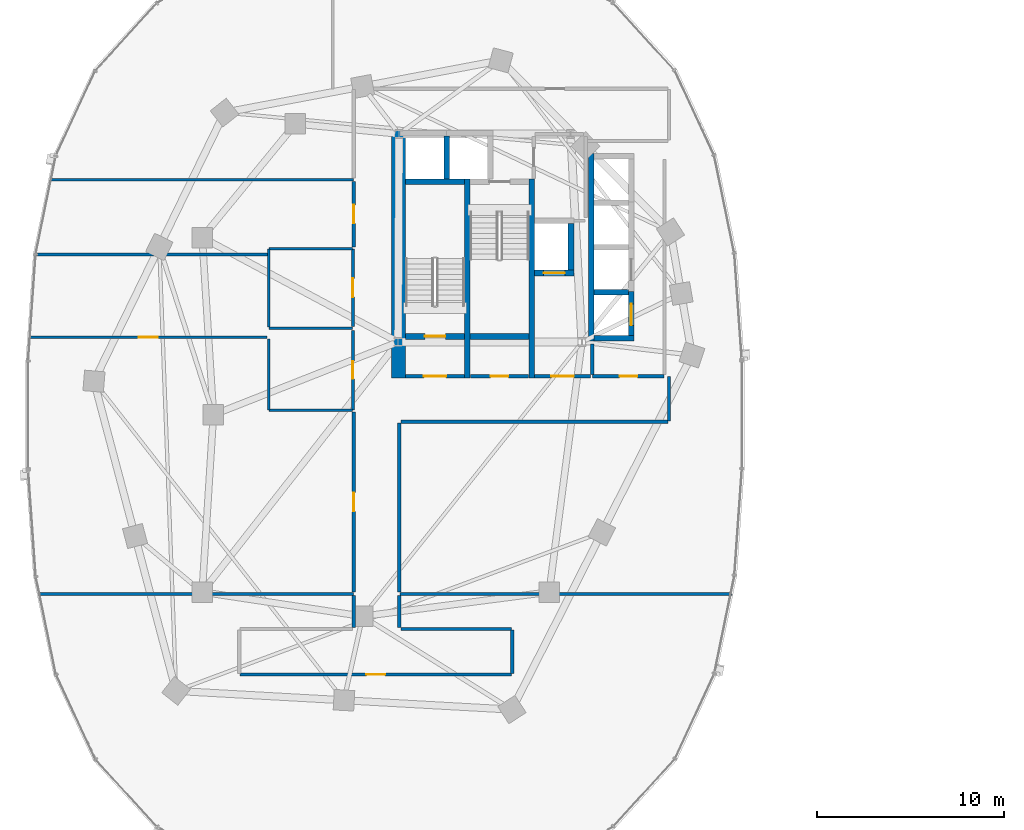
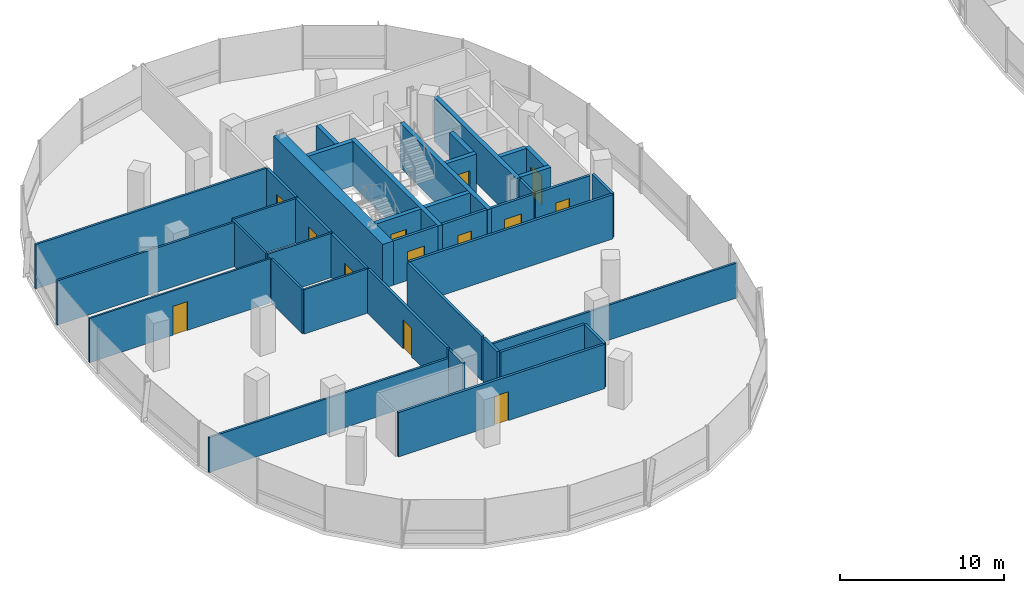
# One storey, part 11 of 21: 40 walls, 13 doors, 13 openings.
"""IFC4 building model written with IfcOpenShell, lengths in metres."""

from ifc_helpers import new_model, si_unit, direction, frame, frame_2d, origin, place, context, subcontext, project, spatial, rectangle, extrude, material, layer, layer_set, type_object, element, fill, save


model = new_model("IFC4")

# Units and contexts
model_context = context("Model", 3, precision=1e-05, world=origin(), true_north=direction((0.0, 1.0)))
body_context = subcontext(model_context, "Body", "Model", "MODEL_VIEW")
ifc_project = project(units=[si_unit("LENGTHUNIT", "METRE"), si_unit("AREAUNIT", "SQUARE_METRE"), si_unit("VOLUMEUNIT", "CUBIC_METRE"), si_unit("PLANEANGLEUNIT", "RADIAN"), si_unit("MASSUNIT", "GRAM", prefix="KILO"), si_unit("THERMODYNAMICTEMPERATUREUNIT", "KELVIN"), si_unit("POWERUNIT", "WATT")], contexts=[model_context])

# Site, building, storey
site_placement = place(None, origin())
site = spatial("IfcSite", under=ifc_project, at=site_placement, CompositionType="ELEMENT")
building_placement = place(site_placement, origin())
building = spatial("IfcBuilding", under=site, at=building_placement, Name="Cundina Bronze Exchange", CompositionType="ELEMENT")
storey_placement = place(building_placement, frame((0.0, 0.0, 107.0)))
storey = spatial("IfcBuildingStorey", under=building, at=storey_placement, Name="L27", CompositionType="ELEMENT", Elevation=107.0)

# Wall
ifc_material_1 = material(Name="Gypsum Fireboard Partition EI120")
ifc_layer_1 = layer(ifc_material_1, 0.179931640625, Name="Gypsum Fireboard Partition EI120")
ifc_layer_set_1 = layer_set([ifc_layer_1], Name="Gypsum Fireboard Partition EI120")
wall_type_1 = type_object("IfcWallType", Name="WL-COR-180", PredefinedType="PARTITIONING", material=ifc_layer_set_1)
wall_1_placement = place(storey_placement, frame((-20.889892578125, 2.14990234375, 0.0), z_axis=(0.0, 0.0, 1.0), x_axis=(0.0, 1.0, 0.0)))
element("IfcWall", 1, at=wall_1_placement, inside=storey, type_object=wall_type_1, Name="L27 W Firefighting Lobby Side Wall", PredefinedType="PARTITIONING", context=body_context, shape_type="SweptSolid", body=[
    extrude(rectangle(XDim=1.650146484375, YDim=0.179931640625, at=frame_2d((0.8251953125, 0.0))), origin(), (0.0, 0.0, 1.0), 3.300048828125),
])

# Wall, opening, door
wall_2_placement = place(storey_placement, frame((-23.97998046875, 2.06005859375, 0.0), z_axis=(0.0, 0.0, 1.0), x_axis=(1.0, 0.0, 0.0)))
wall_2 = element("IfcWall", 2, at=wall_2_placement, inside=storey, type_object=wall_type_1, Name="L27 W Firefighting Lobby Exit Wall", PredefinedType="PARTITIONING", context=body_context, shape_type="SweptSolid", body=[
    extrude(rectangle(XDim=3.0, YDim=0.179931640625, at=frame_2d((1.5, 0.0))), origin(), (0.0, 0.0, 1.0), 3.300048828125),
])
opening_1_placement = place(wall_2_placement, frame((0.89990234375, 0.0, 0.0)))
opening_1 = element("IfcOpeningElement", 3, at=opening_1_placement, cuts=wall_2, Name="Opening DF-01", PredefinedType="OPENING", context=body_context, shape_type="SweptSolid", body=[
    extrude(rectangle(XDim=1.199951171875, YDim=2.14990234375, at=frame_2d((0.60009765625, 1.074951171875))), frame((0.0, 0.099853515625, 0.0), z_axis=(0.0, -1.0, 0.0), x_axis=(1.0, 0.0, 0.0)), (0.0, 0.0, 1.0), 0.199951171875),
])
ifc_material_2 = material(Name="Steel ASTM A36 Painted", Category="steel")
door_type_1 = type_object("IfcDoorType", Name="DR-FFL-1200", OperationType="NOTDEFINED", PredefinedType="DOOR", material=ifc_material_2)
door_1_placement = place(opening_1_placement, origin())
door_1 = element("IfcDoor", 4, at=door_1_placement, inside=storey, type_object=door_type_1, Name="L27 W Firefighting Lobby Door", OperationType="SINGLE_SWING_RIGHT", OverallHeight=2.14990234375, OverallWidth=1.199951171875, PredefinedType="DOOR", context=body_context, shape_type="SweptSolid", body=[
    extrude(rectangle(XDim=1.199951171875, YDim=2.14990234375, at=frame_2d((0.60009765625, 1.074951171875))), frame((0.0, 0.02490234375, 0.0), z_axis=(0.0, -1.0, 0.0), x_axis=(1.0, 0.0, 0.0)), (0.0, 0.0, 1.0), 0.050048828125),
])
fill(opening_1, door_1)

wall_3_placement = place(storey_placement, frame((-30.89990234375, 2.06005859375, 0.0), z_axis=(0.0, 0.0, 1.0), x_axis=(1.0, 0.0, 0.0)))
wall_3 = element("IfcWall", 5, at=wall_3_placement, inside=storey, type_object=wall_type_1, Name="L27 W Stair Vestibule Exit Wall", PredefinedType="PARTITIONING", context=body_context, shape_type="SweptSolid", body=[
    extrude(rectangle(XDim=3.159912109375, YDim=0.179931640625, at=frame_2d((1.580078125, 0.0))), origin(), (0.0, 0.0, 1.0), 3.300048828125),
])
opening_2_placement = place(wall_3_placement, frame((0.97998046875, 0.0, 0.0)))
opening_2 = element("IfcOpeningElement", 6, at=opening_2_placement, cuts=wall_3, Name="Opening DF-01", PredefinedType="OPENING", context=body_context, shape_type="SweptSolid", body=[
    extrude(rectangle(XDim=1.199951171875, YDim=2.14990234375, at=frame_2d((0.60009765625, 1.074951171875))), frame((0.0, 0.099853515625, 0.0), z_axis=(0.0, -1.0, 0.0), x_axis=(1.0, 0.0, 0.0)), (0.0, 0.0, 1.0), 0.199951171875),
])
door_2_placement = place(opening_2_placement, origin())
door_2 = element("IfcDoor", 7, at=door_2_placement, inside=storey, type_object=door_type_1, Name="L27 W Stair Vestibule Door", OperationType="SINGLE_SWING_LEFT", OverallHeight=2.14990234375, OverallWidth=1.199951171875, PredefinedType="DOOR", context=body_context, shape_type="SweptSolid", body=[
    extrude(rectangle(XDim=1.199951171875, YDim=2.14990234375, at=frame_2d((0.60009765625, 1.074951171875))), frame((0.0, 0.02490234375, 0.0), z_axis=(0.0, -1.0, 0.0), x_axis=(1.0, 0.0, 0.0)), (0.0, 0.0, 1.0), 0.050048828125),
])
fill(opening_2, door_2)

wall_4_placement = place(storey_placement, frame((-20.8701171875, 2.070068359375, 0.0), z_axis=(0.0, 0.0, 1.0), x_axis=(1.0, 0.0, 0.0)))
wall_4 = element("IfcWall", 8, at=wall_4_placement, inside=storey, type_object=wall_type_1, Name="L27 Interior Partition 002", PredefinedType="PARTITIONING", context=body_context, shape_type="SweptSolid", body=[
    extrude(rectangle(XDim=3.830078125, YDim=0.179931640625, at=frame_2d((1.9150390625, 0.0))), origin(), (0.0, 0.0, 1.0), 3.300048828125),
])
opening_3_placement = place(wall_4_placement, frame((1.43994140625, 0.0, 0.0)))
opening_3 = element("IfcOpeningElement", 9, at=opening_3_placement, cuts=wall_4, Name="Opening DW-01", PredefinedType="OPENING", context=body_context, shape_type="SweptSolid", body=[
    extrude(rectangle(XDim=0.949951171875, YDim=2.10009765625, at=frame_2d((0.47509765625, 1.050048828125))), frame((0.0, 0.099853515625, 0.0), z_axis=(0.0, -1.0, 0.0), x_axis=(1.0, 0.0, 0.0)), (0.0, 0.0, 1.0), 0.199951171875),
])
ifc_material_3 = material(Name="Solid Andean Oak Timber Grade A", Category="wood")
door_type_2 = type_object("IfcDoorType", Name="DR-WC-950", OperationType="NOTDEFINED", PredefinedType="DOOR", material=ifc_material_3)
door_3_placement = place(opening_3_placement, origin())
door_3 = element("IfcDoor", 10, at=door_3_placement, inside=storey, type_object=door_type_2, Name="L27 Interior Door 002", OperationType="SINGLE_SWING_RIGHT", OverallHeight=2.10009765625, OverallWidth=0.949951171875, PredefinedType="DOOR", context=body_context, shape_type="SweptSolid", body=[
    extrude(rectangle(XDim=0.949951171875, YDim=2.10009765625, at=frame_2d((0.47509765625, 1.050048828125))), frame((0.0, 0.02490234375, 0.0), z_axis=(0.0, -1.0, 0.0), x_axis=(1.0, 0.0, 0.0)), (0.0, 0.0, 1.0), 0.050048828125),
])
fill(opening_3, door_3)

wall_5_placement = place(storey_placement, frame((-27.419921875, 2.070068359375, 0.0), z_axis=(0.0, 0.0, 1.0), x_axis=(1.0, 0.0, 0.0)))
wall_5 = element("IfcWall", 11, at=wall_5_placement, inside=storey, type_object=wall_type_1, Name="L27 Interior Partition 006", PredefinedType="PARTITIONING", context=body_context, shape_type="SweptSolid", body=[
    extrude(rectangle(XDim=3.119873046875, YDim=0.179931640625, at=frame_2d((1.56005859375, 0.0))), origin(), (0.0, 0.0, 1.0), 3.300048828125),
])
opening_4_placement = place(wall_5_placement, frame((1.0849609375, 0.0, 0.0)))
opening_4 = element("IfcOpeningElement", 12, at=opening_4_placement, cuts=wall_5, Name="Opening DW-01", PredefinedType="OPENING", context=body_context, shape_type="SweptSolid", body=[
    extrude(rectangle(XDim=0.949951171875, YDim=2.10009765625, at=frame_2d((0.47509765625, 1.050048828125))), frame((0.0, 0.099853515625, 0.0), z_axis=(0.0, -1.0, 0.0), x_axis=(1.0, 0.0, 0.0)), (0.0, 0.0, 1.0), 0.199951171875),
])
door_4_placement = place(opening_4_placement, origin())
door_4 = element("IfcDoor", 13, at=door_4_placement, inside=storey, type_object=door_type_2, Name="L27 Interior Door 006", OperationType="SINGLE_SWING_LEFT", OverallHeight=2.10009765625, OverallWidth=0.949951171875, PredefinedType="DOOR", context=body_context, shape_type="SweptSolid", body=[
    extrude(rectangle(XDim=0.949951171875, YDim=2.10009765625, at=frame_2d((0.47509765625, 1.050048828125))), frame((0.0, 0.02490234375, 0.0), z_axis=(0.0, -1.0, 0.0), x_axis=(1.0, 0.0, 0.0)), (0.0, 0.0, 1.0), 0.050048828125),
])
fill(opening_4, door_4)

wall_6_placement = place(storey_placement, frame((-33.719970703125, 0.27001953125, 0.0), z_axis=(0.0, 0.0, 1.0), x_axis=(0.0, 1.0, 0.0)))
wall_6 = element("IfcWall", 14, at=wall_6_placement, inside=storey, type_object=wall_type_1, Name="L27 Interior Partition 013", PredefinedType="PARTITIONING", context=body_context, shape_type="SweptSolid", body=[
    extrude(rectangle(XDim=4.260009765625, YDim=0.179931640625, at=frame_2d((2.1298828125, 0.0))), origin(), (0.0, 0.0, 1.0), 3.300048828125),
])
opening_5_placement = place(wall_6_placement, frame((1.655029296875, 0.0, 0.0)))
opening_5 = element("IfcOpeningElement", 15, at=opening_5_placement, cuts=wall_6, Name="Opening DW-01", PredefinedType="OPENING", context=body_context, shape_type="SweptSolid", body=[
    extrude(rectangle(XDim=0.949951171875, YDim=2.10009765625, at=frame_2d((0.47509765625, 1.050048828125))), frame((0.0, 0.099853515625, 0.0), z_axis=(0.0, -1.0, 0.0), x_axis=(1.0, 0.0, 0.0)), (0.0, 0.0, 1.0), 0.199951171875),
])
door_5_placement = place(opening_5_placement, origin())
door_5 = element("IfcDoor", 16, at=door_5_placement, inside=storey, type_object=door_type_2, Name="L27 Interior Door 013", OperationType="SINGLE_SWING_RIGHT", OverallHeight=2.10009765625, OverallWidth=0.949951171875, PredefinedType="DOOR", context=body_context, shape_type="SweptSolid", body=[
    extrude(rectangle(XDim=0.949951171875, YDim=2.10009765625, at=frame_2d((0.47509765625, 1.050048828125))), frame((0.0, 0.02490234375, 0.0), z_axis=(0.0, -1.0, 0.0), x_axis=(1.0, 0.0, 0.0)), (0.0, 0.0, 1.0), 0.050048828125),
])
fill(opening_5, door_5)

wall_7_placement = place(storey_placement, frame((-33.719970703125, 4.72998046875, 0.0), z_axis=(0.0, 0.0, 1.0), x_axis=(0.0, 1.0, 0.0)))
wall_7 = element("IfcWall", 17, at=wall_7_placement, inside=storey, type_object=wall_type_1, Name="L27 Interior Partition 014", PredefinedType="PARTITIONING", context=body_context, shape_type="SweptSolid", body=[
    extrude(rectangle(XDim=4.159912109375, YDim=0.179931640625, at=frame_2d((2.080078125, 0.0))), origin(), (0.0, 0.0, 1.0), 3.300048828125),
])
opening_6_placement = place(wall_7_placement, frame((1.580078125, 0.0, 0.0)))
opening_6 = element("IfcOpeningElement", 18, at=opening_6_placement, cuts=wall_7, Name="Opening DO-01", PredefinedType="OPENING", context=body_context, shape_type="SweptSolid", body=[
    extrude(rectangle(XDim=1.0, YDim=2.14990234375, at=frame_2d((0.5, 1.074951171875))), frame((0.0, 0.099853515625, 0.0), z_axis=(0.0, -1.0, 0.0), x_axis=(1.0, 0.0, 0.0)), (0.0, 0.0, 1.0), 0.199951171875),
])
door_type_3 = type_object("IfcDoorType", Name="DR-OFF-1000", OperationType="NOTDEFINED", PredefinedType="DOOR", material=ifc_material_3)
door_6_placement = place(opening_6_placement, origin())
door_6 = element("IfcDoor", 19, at=door_6_placement, inside=storey, type_object=door_type_3, Name="L27 Interior Door 014", OperationType="SINGLE_SWING_RIGHT", OverallHeight=2.14990234375, OverallWidth=1.0, PredefinedType="DOOR", context=body_context, shape_type="SweptSolid", body=[
    extrude(rectangle(XDim=1.0, YDim=2.14990234375, at=frame_2d((0.5, 1.074951171875))), frame((0.0, 0.02490234375, 0.0), z_axis=(0.0, -1.0, 0.0), x_axis=(1.0, 0.0, 0.0)), (0.0, 0.0, 1.0), 0.050048828125),
])
fill(opening_6, door_6)

wall_8_placement = place(storey_placement, frame((-39.778564453125, -13.919921875, 0.0), z_axis=(0.0, 0.0, 1.0), x_axis=(1.0, 0.0, 0.0)))
wall_8 = element("IfcWall", 20, at=wall_8_placement, inside=storey, type_object=wall_type_1, Name="L27 Interior Partition 020", PredefinedType="PARTITIONING", context=body_context, shape_type="SweptSolid", body=[
    extrude(rectangle(XDim=14.55712890625, YDim=0.179931640625, at=frame_2d((7.278564453125, 0.0))), origin(), (0.0, 0.0, 1.0), 3.300048828125),
])
opening_7_placement = place(wall_8_placement, frame((6.778564453125, 0.0, 0.0)))
opening_7 = element("IfcOpeningElement", 21, at=opening_7_placement, cuts=wall_8, Name="Opening DO-01", PredefinedType="OPENING", context=body_context, shape_type="SweptSolid", body=[
    extrude(rectangle(XDim=1.0, YDim=2.14990234375, at=frame_2d((0.5, 1.074951171875))), frame((0.0, 0.099853515625, 0.0), z_axis=(0.0, -1.0, 0.0), x_axis=(1.0, 0.0, 0.0)), (0.0, 0.0, 1.0), 0.199951171875),
])
door_7_placement = place(opening_7_placement, origin())
door_7 = element("IfcDoor", 22, at=door_7_placement, inside=storey, type_object=door_type_3, Name="L27 Interior Door 020", OperationType="SINGLE_SWING_LEFT", OverallHeight=2.14990234375, OverallWidth=1.0, PredefinedType="DOOR", context=body_context, shape_type="SweptSolid", body=[
    extrude(rectangle(XDim=1.0, YDim=2.14990234375, at=frame_2d((0.5, 1.074951171875))), frame((0.0, 0.02490234375, 0.0), z_axis=(0.0, -1.0, 0.0), x_axis=(1.0, 0.0, 0.0)), (0.0, 0.0, 1.0), 0.050048828125),
])
fill(opening_7, door_7)

# Walls
wall_9_placement = place(storey_placement, frame((-25.221435546875, -11.47998046875, 0.0), z_axis=(0.0, 0.0, 1.0), x_axis=(-1.0, 0.0, 0.0)))
element("IfcWall", 23, at=wall_9_placement, inside=storey, type_object=wall_type_1, Name="L27 Interior Partition 022", PredefinedType="PARTITIONING", context=body_context, shape_type="SweptSolid", body=[
    extrude(rectangle(XDim=5.928466796875, YDim=0.179931640625, at=frame_2d((2.96435546875, 0.0))), origin(), (0.0, 0.0, 1.0), 3.300048828125),
])
wall_10_placement = place(storey_placement, frame((-25.179931640625, -13.87841796875, 0.0), z_axis=(0.0, 0.0, 1.0), x_axis=(0.0, 1.0, 0.0)))
element("IfcWall", 24, at=wall_10_placement, inside=storey, type_object=wall_type_1, Name="L27 Interior Partition 024", PredefinedType="PARTITIONING", context=body_context, shape_type="SweptSolid", body=[
    extrude(rectangle(XDim=2.35693359375, YDim=0.179931640625, at=frame_2d((1.178466796875, 0.0))), origin(), (0.0, 0.0, 1.0), 3.300048828125),
])
for number, where, z_axis, x_axis, name in (
    (25, (-33.669921875, -9.68994140625, 0.0), (0.0, 0.0, 1.0), (0.0, -1.0, 0.0), "L27 Interior Partition 025"),
    (26, (-31.22998046875, -11.39990234375, 0.0), (0.0, 0.0, 1.0), (0.0, 1.0, 0.0), "L27 Interior Partition 026"),
):
    element("IfcWall", number, at=place(storey_placement, frame(where, z_axis=z_axis, x_axis=x_axis)), inside=storey, type_object=wall_type_1, Name=name, PredefinedType="PARTITIONING", context=body_context, shape_type="SweptSolid", body=[
        extrude(rectangle(XDim=1.7099609375, YDim=0.179931640625, at=frame_2d((0.85498046875, 0.0))), origin(), (0.0, 0.0, 1.0), 3.300048828125),
    ])

# Wall, opening, door
wall_11_placement = place(storey_placement, frame((-33.669921875, 0.15869140625, 0.0), z_axis=(0.0, 0.0, 1.0), x_axis=(0.0, -1.0, 0.0)))
wall_11 = element("IfcWall", 27, at=wall_11_placement, inside=storey, type_object=wall_type_1, Name="L27 Interior Partition 027", PredefinedType="PARTITIONING", context=body_context, shape_type="SweptSolid", body=[
    extrude(rectangle(XDim=9.668701171875, YDim=0.179931640625, at=frame_2d((4.83447265625, 0.0))), origin(), (0.0, 0.0, 1.0), 3.300048828125),
])
opening_8_placement = place(wall_11_placement, frame((4.334228515625, 0.0, 0.0)))
opening_8 = element("IfcOpeningElement", 28, at=opening_8_placement, cuts=wall_11, Name="Opening DO-01", PredefinedType="OPENING", context=body_context, shape_type="SweptSolid", body=[
    extrude(rectangle(XDim=1.0, YDim=2.14990234375, at=frame_2d((0.5, 1.074951171875))), frame((0.0, 0.099853515625, 0.0), z_axis=(0.0, -1.0, 0.0), x_axis=(1.0, 0.0, 0.0)), (0.0, 0.0, 1.0), 0.199951171875),
])
door_8_placement = place(opening_8_placement, origin())
door_8 = element("IfcDoor", 29, at=door_8_placement, inside=storey, type_object=door_type_3, Name="L27 Interior Door 027", OperationType="SINGLE_SWING_LEFT", OverallHeight=2.14990234375, OverallWidth=1.0, PredefinedType="DOOR", context=body_context, shape_type="SweptSolid", body=[
    extrude(rectangle(XDim=1.0, YDim=2.14990234375, at=frame_2d((0.5, 1.074951171875))), frame((0.0, 0.02490234375, 0.0), z_axis=(0.0, -1.0, 0.0), x_axis=(1.0, 0.0, 0.0)), (0.0, 0.0, 1.0), 0.050048828125),
])
fill(opening_8, door_8)

# Walls
wall_12_placement = place(storey_placement, frame((-31.14990234375, -0.3701171875, 0.0), z_axis=(0.0, 0.0, 1.0), x_axis=(1.0, 0.0, 0.0)))
element("IfcWall", 30, at=wall_12_placement, inside=storey, type_object=wall_type_1, Name="L27 Interior Partition 029", PredefinedType="PARTITIONING", context=body_context, shape_type="SweptSolid", body=[
    extrude(rectangle(XDim=14.328369140625, YDim=0.179931640625, at=frame_2d((7.1640625, 0.0))), origin(), (0.0, 0.0, 1.0), 3.300048828125),
])
wall_13_placement = place(storey_placement, frame((-31.22998046875, -9.510009765625, 0.0), z_axis=(0.0, 0.0, 1.0), x_axis=(0.0, 1.0, 0.0)))
element("IfcWall", 31, at=wall_13_placement, inside=storey, type_object=wall_type_1, Name="L27 Interior Partition 030", PredefinedType="PARTITIONING", context=body_context, shape_type="SweptSolid", body=[
    extrude(rectangle(XDim=9.06005859375, YDim=0.179931640625, at=frame_2d((4.530029296875, 0.0))), origin(), (0.0, 0.0, 1.0), 3.300048828125),
])
wall_14_placement = place(storey_placement, frame((-16.780029296875, -0.32861328125, 0.0), z_axis=(0.0, 0.0, 1.0), x_axis=(0.0, 1.0, 0.0)))
element("IfcWall", 32, at=wall_14_placement, inside=storey, type_object=wall_type_1, Name="L27 Interior Partition 034", PredefinedType="PARTITIONING", context=body_context, shape_type="SweptSolid", body=[
    extrude(rectangle(XDim=2.38720703125, YDim=0.179931640625, at=frame_2d((1.193603515625, 0.0))), origin(), (0.0, 0.0, 1.0), 3.300048828125),
])

# Wall, opening, door
wall_15_placement = place(storey_placement, frame((-33.669921875, 12.510009765625, 0.0), z_axis=(0.0, 0.0, 1.0), x_axis=(0.0, -1.0, 0.0)))
wall_15 = element("IfcWall", 33, at=wall_15_placement, inside=storey, type_object=wall_type_1, Name="L27 Interior Partition 035", PredefinedType="PARTITIONING", context=body_context, shape_type="SweptSolid", body=[
    extrude(rectangle(XDim=3.508544921875, YDim=0.179931640625, at=frame_2d((1.75439453125, 0.0))), origin(), (0.0, 0.0, 1.0), 3.300048828125),
])
opening_9_placement = place(wall_15_placement, frame((1.25439453125, 0.0, 0.0)))
opening_9 = element("IfcOpeningElement", 34, at=opening_9_placement, cuts=wall_15, Name="Opening DO-01", PredefinedType="OPENING", context=body_context, shape_type="SweptSolid", body=[
    extrude(rectangle(XDim=1.0, YDim=2.14990234375, at=frame_2d((0.5, 1.074951171875))), frame((0.0, 0.099853515625, 0.0), z_axis=(0.0, -1.0, 0.0), x_axis=(1.0, 0.0, 0.0)), (0.0, 0.0, 1.0), 0.199951171875),
])
door_9_placement = place(opening_9_placement, origin())
door_9 = element("IfcDoor", 35, at=door_9_placement, inside=storey, type_object=door_type_3, Name="L27 Interior Door 035", OperationType="SINGLE_SWING_RIGHT", OverallHeight=2.14990234375, OverallWidth=1.0, PredefinedType="DOOR", context=body_context, shape_type="SweptSolid", body=[
    extrude(rectangle(XDim=1.0, YDim=2.14990234375, at=frame_2d((0.5, 1.074951171875))), frame((0.0, 0.02490234375, 0.0), z_axis=(0.0, -1.0, 0.0), x_axis=(1.0, 0.0, 0.0)), (0.0, 0.0, 1.0), 0.050048828125),
])
fill(opening_9, door_9)

# Wall
ifc_material_4 = material(Name="Concrete C60/75", Category="concrete")
ifc_layer_2 = layer(ifc_material_4, 0.75, Name="Concrete C60/75", Category="concrete")
ifc_layer_set_2 = layer_set([ifc_layer_2], Name="Concrete C60/75")
wall_type_2 = type_object("IfcWallType", Name="WL-CORE-750", PredefinedType="SHEAR", material=ifc_layer_set_2)
wall_16_placement = place(storey_placement, frame((-31.27490234375, 1.969970703125, 0.0), z_axis=(0.0, 0.0, 1.0), x_axis=(0.0, 1.0, 0.0)))
element("IfcWall", 36, at=wall_16_placement, inside=storey, type_object=wall_type_2, Name="L27 W Primary Core Shear Spine Wall", PredefinedType="SHEAR", context=body_context, shape_type="SweptSolid", body=[
    extrude(rectangle(XDim=13.330078125, YDim=0.75, at=frame_2d((6.6650390625, 0.0))), origin(), (0.0, 0.0, 1.0), 3.300048828125),
])

# Wall, opening, door
ifc_material_5 = material(Name="Gypsum Acoustic Partition EI60")
ifc_layer_3 = layer(ifc_material_5, 0.125, Name="Gypsum Acoustic Partition EI60")
ifc_layer_set_3 = layer_set([ifc_layer_3], Name="Gypsum Acoustic Partition EI60")
wall_type_3 = type_object("IfcWallType", Name="WL-OFF-125", PredefinedType="PARTITIONING", material=ifc_layer_set_3)
wall_17_placement = place(storey_placement, frame((-38.320068359375, 4.14990234375, 0.0), z_axis=(0.0, 0.0, 1.0), x_axis=(-1.0, 0.0, 0.0)))
wall_17 = element("IfcWall", 37, at=wall_17_placement, inside=storey, type_object=wall_type_3, Name="L27 Interior Partition 036", PredefinedType="PARTITIONING", context=body_context, shape_type="SweptSolid", body=[
    extrude(rectangle(XDim=12.74365234375, YDim=0.125, at=frame_2d((6.371826171875, 0.0))), origin(), (0.0, 0.0, 1.0), 3.300048828125),
])
opening_10_placement = place(wall_17_placement, frame((5.871826171875, 0.0, 0.0)))
opening_10 = element("IfcOpeningElement", 38, at=opening_10_placement, cuts=wall_17, Name="Opening DO-01", PredefinedType="OPENING", context=body_context, shape_type="SweptSolid", body=[
    extrude(rectangle(XDim=1.0, YDim=2.14990234375, at=frame_2d((0.5, 1.074951171875))), frame((0.0, 0.072509765625, 0.0), z_axis=(0.0, -1.0, 0.0), x_axis=(1.0, 0.0, 0.0)), (0.0, 0.0, 1.0), 0.14501953125),
])
door_10_placement = place(opening_10_placement, origin())
door_10 = element("IfcDoor", 39, at=door_10_placement, inside=storey, type_object=door_type_3, Name="L27 Interior Door 036", OperationType="SINGLE_SWING_RIGHT", OverallHeight=2.14990234375, OverallWidth=1.0, PredefinedType="DOOR", context=body_context, shape_type="SweptSolid", body=[
    extrude(rectangle(XDim=1.0, YDim=2.14990234375, at=frame_2d((0.5, 1.074951171875))), frame((0.0, 0.02490234375, 0.0), z_axis=(0.0, -1.0, 0.0), x_axis=(1.0, 0.0, 0.0)), (0.0, 0.0, 1.0), 0.050048828125),
])
fill(opening_10, door_10)

# Walls
ifc_material_6 = material(Name="Concrete C50/60", Category="concrete")
ifc_layer_4 = layer(ifc_material_6, 0.300048828125, Name="Concrete C50/60", Category="concrete")
ifc_layer_set_4 = layer_set([ifc_layer_4], Name="Concrete C50/60")
wall_type_4 = type_object("IfcWallType", Name="WL-SHFT-300", PredefinedType="SHEAR", material=ifc_layer_set_4)
for number, where, z_axis, x_axis, name in (
    (40, (-27.590087890625, 1.969970703125, 0.0), (0.0, 0.0, 1.0), (0.0, 1.0, 0.0), "L27 W Stair Shaft Dividing Shear Wall"),
    (41, (-24.1298828125, 1.969970703125, 0.0), (0.0, 0.0, 1.0), (0.0, 1.0, 0.0), "L27 W Stair 2 East Shear Wall"),
):
    element("IfcWall", number, at=place(storey_placement, frame(where, z_axis=z_axis, x_axis=x_axis)), inside=storey, type_object=wall_type_4, Name=name, PredefinedType="SHEAR", context=body_context, shape_type="SweptSolid", body=[
        extrude(rectangle(XDim=10.679931640625, YDim=0.300048828125, at=frame_2d((5.33984375, 0.0))), origin(), (0.0, 0.0, 1.0), 3.300048828125),
    ])

# Wall, opening, door
wall_18_placement = place(storey_placement, frame((-30.89990234375, 4.199951171875, 0.0), z_axis=(0.0, 0.0, 1.0), x_axis=(1.0, 0.0, 0.0)))
wall_18 = element("IfcWall", 42, at=wall_18_placement, inside=storey, type_object=wall_type_4, Name="L27 Stair W1 Landing Wall", PredefinedType="SHEAR", context=body_context, shape_type="SweptSolid", body=[
    extrude(rectangle(XDim=3.159912109375, YDim=0.300048828125, at=frame_2d((1.580078125, 0.0))), origin(), (0.0, 0.0, 1.0), 3.300048828125),
])
opening_11_placement = place(wall_18_placement, frame((1.030029296875, 0.0, 0.0)))
opening_11 = element("IfcOpeningElement", 43, at=opening_11_placement, cuts=wall_18, Name="Opening DS-01", PredefinedType="OPENING", context=body_context, shape_type="SweptSolid", body=[
    extrude(rectangle(XDim=1.10009765625, YDim=2.14990234375, at=frame_2d((0.550048828125, 1.074951171875))), frame((0.0, 0.159912109375, 0.0), z_axis=(0.0, -1.0, 0.0), x_axis=(1.0, 0.0, 0.0)), (0.0, 0.0, 1.0), 0.320068359375),
])
door_type_4 = type_object("IfcDoorType", Name="DR-STR-1100", OperationType="NOTDEFINED", PredefinedType="DOOR", material=ifc_material_2)
door_11_placement = place(opening_11_placement, origin())
door_11 = element("IfcDoor", 44, at=door_11_placement, inside=storey, type_object=door_type_4, Name="L27 Smokeproof Stair W1 Door", OperationType="SINGLE_SWING_RIGHT", OverallHeight=2.14990234375, OverallWidth=1.10009765625, PredefinedType="DOOR", context=body_context, shape_type="SweptSolid", body=[
    extrude(rectangle(XDim=1.10009765625, YDim=2.14990234375, at=frame_2d((0.550048828125, 1.074951171875))), frame((0.0, 0.02490234375, 0.0), z_axis=(0.0, -1.0, 0.0), x_axis=(1.0, 0.0, 0.0)), (0.0, 0.0, 1.0), 0.050048828125),
])
fill(opening_11, door_11)

# Walls
for number, where, z_axis, x_axis, name in (
    (45, (-30.89990234375, 12.5, 0.0), (0.0, 0.0, 1.0), (1.0, 0.0, 0.0), "L27 Stair W1 Far Shaft Wall"),
    (46, (-27.43994140625, 4.199951171875, 0.0), (0.0, 0.0, 1.0), (1.0, 0.0, 0.0), "L27 Stair W2 Far Shaft Wall"),
):
    element("IfcWall", number, at=place(storey_placement, frame(where, z_axis=z_axis, x_axis=x_axis)), inside=storey, type_object=wall_type_4, Name=name, PredefinedType="SHEAR", context=body_context, shape_type="SweptSolid", body=[
        extrude(rectangle(XDim=3.159912109375, YDim=0.300048828125, at=frame_2d((1.580078125, 0.0))), origin(), (0.0, 0.0, 1.0), 3.300048828125),
    ])

# Wall, opening, door
wall_19_placement = place(storey_placement, frame((-23.97998046875, 7.60009765625, 0.0), z_axis=(0.0, 0.0, 1.0), x_axis=(1.0, 0.0, 0.0)))
wall_19 = element("IfcWall", 47, at=wall_19_placement, inside=storey, type_object=wall_type_4, Name="L27 FFL-W Hoistway Front Wall", PredefinedType="SHEAR", context=body_context, shape_type="SweptSolid", body=[
    extrude(rectangle(XDim=2.10009765625, YDim=0.300048828125, at=frame_2d((1.050048828125, 0.0))), origin(), (0.0, 0.0, 1.0), 3.300048828125),
])
opening_12_placement = place(wall_19_placement, frame((0.47509765625, 0.0, 0.0)))
opening_12 = element("IfcOpeningElement", 48, at=opening_12_placement, cuts=wall_19, Name="Opening LD-01", PredefinedType="OPENING", context=body_context, shape_type="SweptSolid", body=[
    extrude(rectangle(XDim=1.14990234375, YDim=2.199951171875, at=frame_2d((0.574951171875, 1.10009765625))), frame((0.0, 0.159912109375, 0.0), z_axis=(0.0, -1.0, 0.0), x_axis=(1.0, 0.0, 0.0)), (0.0, 0.0, 1.0), 0.320068359375),
])
door_type_5 = type_object("IfcDoorType", Name="DR-LND-1150", OperationType="NOTDEFINED", PredefinedType="TRAPDOOR", material=ifc_material_2)
door_12_placement = place(opening_12_placement, origin())
door_12 = element("IfcDoor", 49, at=door_12_placement, inside=storey, type_object=door_type_5, Name="L27 FFL-W Sliding Landing Door", OperationType="SLIDING_TO_LEFT", OverallHeight=2.199951171875, OverallWidth=1.14990234375, PredefinedType="TRAPDOOR", context=body_context, shape_type="SweptSolid", body=[
    extrude(rectangle(XDim=1.14990234375, YDim=2.199951171875, at=frame_2d((0.574951171875, 1.10009765625))), frame((0.0, 0.02490234375, 0.0), z_axis=(0.0, -1.0, 0.0), x_axis=(1.0, 0.0, 0.0)), (0.0, 0.0, 1.0), 0.050048828125),
])
fill(opening_12, door_12)

# Walls
wall_20_placement = place(storey_placement, frame((-22.030029296875, 7.75, 0.0), z_axis=(0.0, 0.0, 1.0), x_axis=(0.0, 1.0, 0.0)))
element("IfcWall", 50, at=wall_20_placement, inside=storey, type_object=wall_type_4, Name="L27 FFL-W Hoistway Side Wall", PredefinedType="SHEAR", context=body_context, shape_type="SweptSolid", body=[
    extrude(rectangle(XDim=2.5, YDim=0.300048828125, at=frame_2d((1.25, 0.0))), origin(), (0.0, 0.0, 1.0), 3.300048828125),
])
wall_21_placement = place(storey_placement, frame((-28.699951171875, 12.64990234375, 0.0), z_axis=(0.0, 0.0, 1.0), x_axis=(0.0, 1.0, 0.0)))
element("IfcWall", 51, at=wall_21_placement, inside=storey, type_object=wall_type_4, Name="L27 PH-W1 Hoistway Divider Wall", PredefinedType="SHEAR", context=body_context, shape_type="SweptSolid", body=[
    extrude(rectangle(XDim=2.300048828125, YDim=0.300048828125, at=frame_2d((1.14990234375, 0.0))), origin(), (0.0, 0.0, 1.0), 3.300048828125),
])
wall_22_placement = place(storey_placement, frame((-20.949951171875, 3.949951171875, 0.0), z_axis=(0.0, 0.0, 1.0), x_axis=(0.0, 1.0, 0.0)))
element("IfcWall", 52, at=wall_22_placement, inside=storey, type_object=wall_type_4, Name="L27 W Passenger Bank Hoistway Back Wall", PredefinedType="SHEAR", context=body_context, shape_type="SweptSolid", body=[
    extrude(rectangle(XDim=10.050048828125, YDim=0.300048828125, at=frame_2d((5.02490234375, 0.0))), origin(), (0.0, 0.0, 1.0), 3.300048828125),
])
wall_23_placement = place(storey_placement, frame((-20.800048828125, 4.10009765625, 0.0), z_axis=(0.0, 0.0, 1.0), x_axis=(1.0, 0.0, 0.0)))
element("IfcWall", 53, at=wall_23_placement, inside=storey, type_object=wall_type_4, Name="L27 W Passenger Bank South Cap Wall", PredefinedType="SHEAR", context=body_context, shape_type="SweptSolid", body=[
    extrude(rectangle(XDim=2.150146484375, YDim=0.300048828125, at=frame_2d((1.0751953125, 0.0))), origin(), (0.0, 0.0, 1.0), 3.300048828125),
])
wall_24_placement = place(storey_placement, frame((-20.800048828125, 6.574951171875, 0.0), z_axis=(0.0, 0.0, 1.0), x_axis=(1.0, 0.0, 0.0)))
element("IfcWall", 54, at=wall_24_placement, inside=storey, type_object=wall_type_4, Name="L27 W Passenger Hoistway Divider 1", PredefinedType="SHEAR", context=body_context, shape_type="SweptSolid", body=[
    extrude(rectangle(XDim=1.85009765625, YDim=0.300048828125, at=frame_2d((0.925048828125, 0.0))), origin(), (0.0, 0.0, 1.0), 3.300048828125),
])

# Wall, opening, door
wall_25_placement = place(storey_placement, frame((-18.800048828125, 4.1298828125, 0.0), z_axis=(0.0, 0.0, 1.0), x_axis=(0.0, 1.0, 0.0)))
wall_25 = element("IfcWall", 55, at=wall_25_placement, inside=storey, type_object=wall_type_4, Name="L27 PL-W2 Hoistway Front Wall", PredefinedType="SHEAR", context=body_context, shape_type="SweptSolid", body=[
    extrude(rectangle(XDim=2.490234375, YDim=0.300048828125, at=frame_2d((1.2451171875, 0.0))), origin(), (0.0, 0.0, 1.0), 3.300048828125),
])
opening_13_placement = place(wall_25_placement, frame((0.669921875, 0.0, 0.0)))
opening_13 = element("IfcOpeningElement", 56, at=opening_13_placement, cuts=wall_25, Name="Opening LD-01", PredefinedType="OPENING", context=body_context, shape_type="SweptSolid", body=[
    extrude(rectangle(XDim=1.14990234375, YDim=2.199951171875, at=frame_2d((0.574951171875, 1.10009765625))), frame((0.0, 0.159912109375, 0.0), z_axis=(0.0, -1.0, 0.0), x_axis=(1.0, 0.0, 0.0)), (0.0, 0.0, 1.0), 0.320068359375),
])
door_13_placement = place(opening_13_placement, origin())
door_13 = element("IfcDoor", 57, at=door_13_placement, inside=storey, type_object=door_type_5, Name="L27 PL-W2 Sliding Landing Door", OperationType="SLIDING_TO_LEFT", OverallHeight=2.199951171875, OverallWidth=1.14990234375, PredefinedType="TRAPDOOR", context=body_context, shape_type="SweptSolid", body=[
    extrude(rectangle(XDim=1.14990234375, YDim=2.199951171875, at=frame_2d((0.574951171875, 1.10009765625))), frame((0.0, 0.02490234375, 0.0), z_axis=(0.0, -1.0, 0.0), x_axis=(1.0, 0.0, 0.0)), (0.0, 0.0, 1.0), 0.050048828125),
])
fill(opening_13, door_13)

# Walls
ifc_layer_5 = layer(ifc_material_5, 0.14990234375, Name="Gypsum Acoustic Partition EI60")
ifc_layer_set_5 = layer_set([ifc_layer_5], Name="Gypsum Acoustic Partition EI60")
wall_type_5 = type_object("IfcWallType", Name="WL-TEN-150", PredefinedType="PARTITIONING", material=ifc_layer_set_5)
wall_26_placement = place(storey_placement, frame((-50.609619140625, -9.60009765625, 0.0), z_axis=(0.0, 0.0, 1.0), x_axis=(1.0, 0.0, 0.0)))
element("IfcWall", 58, at=wall_26_placement, inside=storey, type_object=wall_type_5, Name="L27 Interior Partition 015", PredefinedType="PARTITIONING", context=body_context, shape_type="SweptSolid", body=[
    extrude(rectangle(XDim=16.90966796875, YDim=0.14990234375, at=frame_2d((8.454833984375, 0.0))), origin(), (0.0, 0.0, 1.0), 2.60498046875),
])
wall_27_placement = place(storey_placement, frame((-31.199951171875, -9.60009765625, 0.0), z_axis=(0.0, 0.0, 1.0), x_axis=(1.0, 0.0, 0.0)))
element("IfcWall", 59, at=wall_27_placement, inside=storey, type_object=wall_type_5, Name="L27 Interior Partition 016", PredefinedType="PARTITIONING", context=body_context, shape_type="SweptSolid", body=[
    extrude(rectangle(XDim=17.8095703125, YDim=0.14990234375, at=frame_2d((8.90478515625, 0.0))), origin(), (0.0, 0.0, 1.0), 2.60498046875),
])
wall_28_placement = place(storey_placement, frame((-50.80859375, 8.60009765625, 0.0), z_axis=(0.0, 0.0, 1.0), x_axis=(1.0, 0.0, 0.0)))
element("IfcWall", 60, at=wall_28_placement, inside=storey, type_object=wall_type_5, Name="L27 Interior Partition 017", PredefinedType="PARTITIONING", context=body_context, shape_type="SweptSolid", body=[
    extrude(rectangle(XDim=12.53857421875, YDim=0.14990234375, at=frame_2d((6.269287109375, 0.0))), origin(), (0.0, 0.0, 1.0), 3.300048828125),
])
wall_29_placement = place(storey_placement, frame((-49.99267578125, 12.60009765625, 0.0), z_axis=(0.0, 0.0, 1.0), x_axis=(1.0, 0.0, 0.0)))
element("IfcWall", 61, at=wall_29_placement, inside=storey, type_object=wall_type_5, Name="L27 Interior Partition 018", PredefinedType="PARTITIONING", context=body_context, shape_type="SweptSolid", body=[
    extrude(rectangle(XDim=16.292724609375, YDim=0.14990234375, at=frame_2d((8.146484375, 0.0))), origin(), (0.0, 0.0, 1.0), 3.300048828125),
])
ifc_material_7 = material(Name="Moisture-Resistant Masonry Block Grade M15", Category="masonry")
ifc_layer_6 = layer(ifc_material_7, 0.139892578125, Name="Moisture-Resistant Masonry Block Grade M15", Category="masonry")
ifc_layer_set_6 = layer_set([ifc_layer_6], Name="Moisture-Resistant Masonry Block Grade M15")
wall_type_6 = type_object("IfcWallType", Name="WL-WET-140", PredefinedType="PARTITIONING", material=ifc_layer_set_6)
wall_30_placement = place(storey_placement, frame((-38.239990234375, 0.27001953125, 0.0), z_axis=(0.0, 0.0, 1.0), x_axis=(0.0, 1.0, 0.0)))
element("IfcWall", 62, at=wall_30_placement, inside=storey, type_object=wall_type_6, Name="L27 Interior Partition 008", PredefinedType="PARTITIONING", context=body_context, shape_type="SweptSolid", body=[
    extrude(rectangle(XDim=3.794921875, YDim=0.139892578125, at=frame_2d((1.8974609375, 0.0))), origin(), (0.0, 0.0, 1.0), 3.300048828125),
])
wall_31_placement = place(storey_placement, frame((-38.239990234375, 4.715087890625, 0.0), z_axis=(0.0, 0.0, 1.0), x_axis=(0.0, 1.0, 0.0)))
element("IfcWall", 63, at=wall_31_placement, inside=storey, type_object=wall_type_6, Name="L27 Interior Partition 009", PredefinedType="PARTITIONING", context=body_context, shape_type="SweptSolid", body=[
    extrude(rectangle(XDim=4.1748046875, YDim=0.139892578125, at=frame_2d((2.08740234375, 0.0))), origin(), (0.0, 0.0, 1.0), 3.300048828125),
])
for number, where, z_axis, x_axis, name in (
    (64, (-38.219970703125, 0.25, 0.0), (0.0, 0.0, 1.0), (1.0, 0.0, 0.0), "L27 Interior Partition 010"),
    (65, (-38.219970703125, 4.6298828125, 0.0), (0.0, 0.0, 1.0), (1.0, 0.0, 0.0), "L27 Interior Partition 011"),
    (66, (-38.219970703125, 8.909912109375, 0.0), (0.0, 0.0, 1.0), (1.0, 0.0, 0.0), "L27 Interior Partition 012"),
):
    element("IfcWall", number, at=place(storey_placement, frame(where, z_axis=z_axis, x_axis=x_axis)), inside=storey, type_object=wall_type_6, Name=name, PredefinedType="PARTITIONING", context=body_context, shape_type="SweptSolid", body=[
        extrude(rectangle(XDim=4.47998046875, YDim=0.139892578125, at=frame_2d((2.239990234375, 0.0))), origin(), (0.0, 0.0, 1.0), 3.300048828125),
    ])

save(model, "model.ifc")
